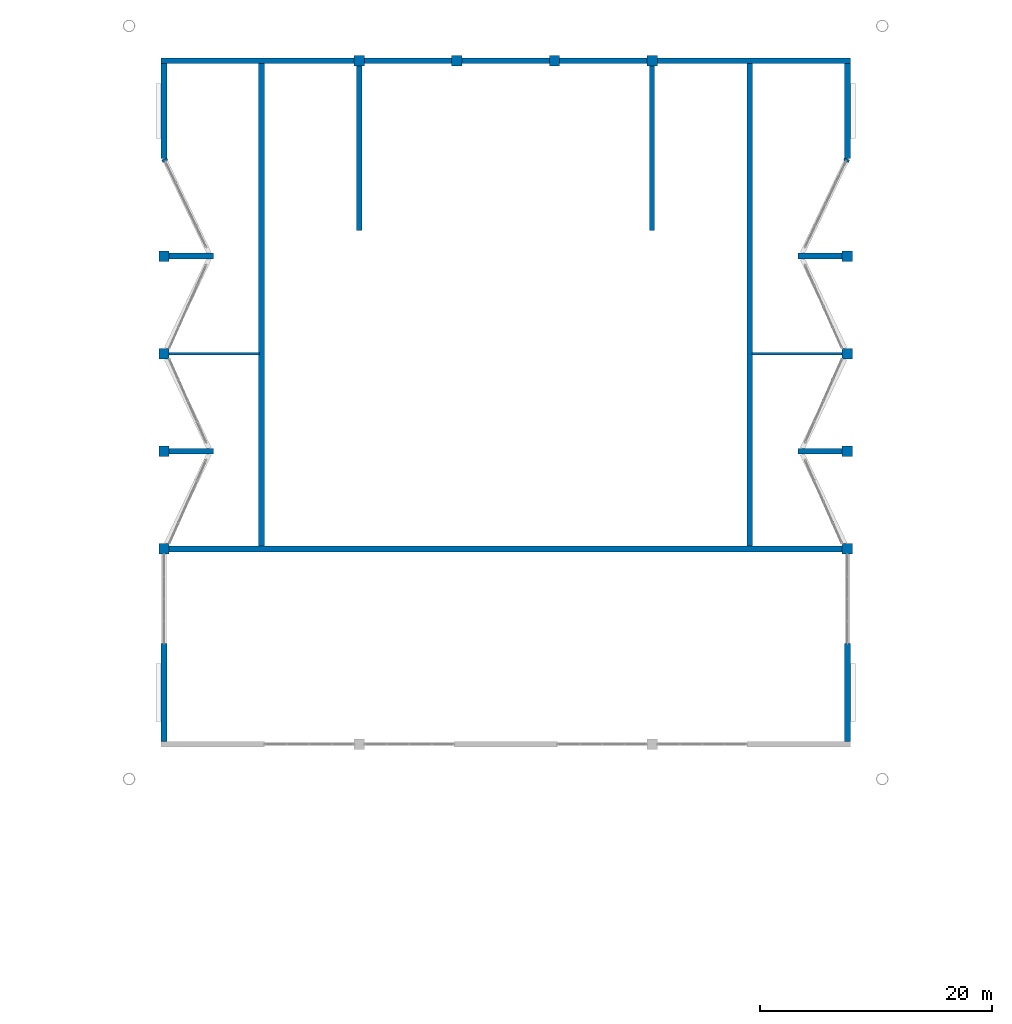
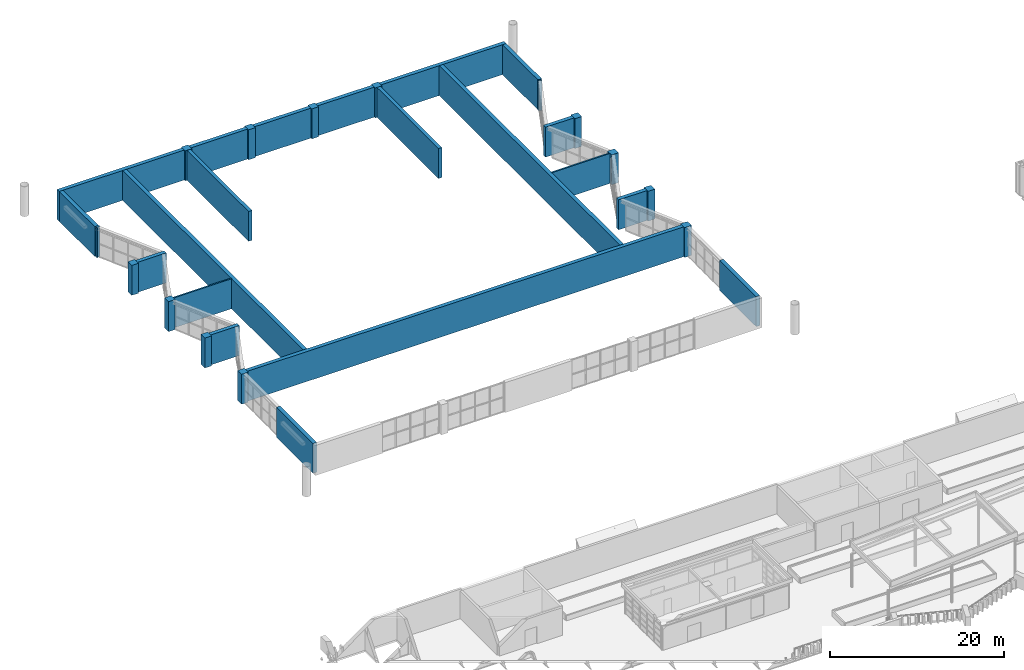
# One storey, part 36 of 51: 34 walls.
"""IFC4 building model written with IfcOpenShell, lengths in metres."""

from ifc_helpers import new_model, si_unit, direction, frame, frame_2d, origin, place, context, subcontext, project, spatial, rectangle, extrude, material, layer, layer_set, type_object, element, save


model = new_model("IFC4")

# Units and contexts
model_context = context("Model", 3, precision=1e-05, world=origin(), true_north=direction((0.0, 1.0)))
body_context = subcontext(model_context, "Body", "Model", "MODEL_VIEW")
ifc_project = project(units=[si_unit("LENGTHUNIT", "METRE"), si_unit("AREAUNIT", "SQUARE_METRE"), si_unit("VOLUMEUNIT", "CUBIC_METRE"), si_unit("PLANEANGLEUNIT", "RADIAN"), si_unit("MASSUNIT", "GRAM", prefix="KILO")], contexts=[model_context])

# Site, building, storey
site_placement = place(None, origin())
site = spatial("IfcSite", under=ifc_project, at=site_placement, CompositionType="ELEMENT")
building_placement = place(site_placement, origin())
building = spatial("IfcBuilding", under=site, at=building_placement, Name="Cresset Court Congress Hotel", CompositionType="ELEMENT")
storey_placement = place(building_placement, frame((0.0, 0.0, 18.60009765625)))
storey = spatial("IfcBuildingStorey", under=building, at=storey_placement, Name="L04", CompositionType="ELEMENT", Elevation=18.60009765625)

# Walls
ifc_material_1 = material(Name="Concrete C50", Category="concrete")
ifc_layer_1 = layer(ifc_material_1, 0.449951171875)
ifc_layer_set_1 = layer_set([ifc_layer_1], Name="Fly-tower wall 450")
wall_type_1 = type_object("IfcWallType", Name="Fly-tower wall 450", PredefinedType="SOLIDWALL", material=ifc_layer_set_1)
for number, where, z_axis, x_axis, name in (
    (1, (75.60009765625, 103.0, 0.0), (0.0, 0.0, 1.0), (0.0, 1.0, 0.0), "Wall CS-1L04"),
    (2, (100.800048828125, 103.0, 0.0), (0.0, 0.0, 1.0), (0.0, 1.0, 0.0), "Wall CS-2L04"),
):
    element("IfcWall", number, at=place(storey_placement, frame(where, z_axis=z_axis, x_axis=x_axis)), inside=storey, type_object=wall_type_1, Name=name, PredefinedType="SOLIDWALL", context=body_context, shape_type="SweptSolid", body=[
        extrude(rectangle(XDim=14.14990234375, YDim=0.449951171875, at=frame_2d((7.074951171875, 0.0))), origin(), (0.0, 0.0, 1.0), 4.199951171875),
    ])
ifc_material_2 = material(Name="Concrete C35", Category="concrete")
ifc_layer_2 = layer(ifc_material_2, 0.199951171875)
ifc_layer_set_2 = layer_set([ifc_layer_2], Name="Gallery cross wall 200")
wall_type_2 = type_object("IfcWallType", Name="Gallery cross wall 200", PredefinedType="PARTITIONING", material=ifc_layer_set_2)
for number, where, z_axis, x_axis, name in (
    (3, (59.25, 92.39990234375, 0.0), (0.0, 0.0, 1.0), (1.0, 0.0, 0.0), "Wall CP-galWL04"),
    (4, (109.39990234375, 92.39990234375, 0.0), (0.0, 0.0, 1.0), (1.0, 0.0, 0.0), "Wall CP-galEL04"),
):
    element("IfcWall", number, at=place(storey_placement, frame(where, z_axis=z_axis, x_axis=x_axis)), inside=storey, type_object=wall_type_2, Name=name, PredefinedType="PARTITIONING", context=body_context, shape_type="SweptSolid", body=[
        extrude(rectangle(XDim=7.75, YDim=0.199951171875, at=frame_2d((3.875, 0.0))), origin(), (0.0, 0.0, 1.0), 4.199951171875),
    ])
ifc_material_3 = material(Name="Concrete C50", Category="concrete")
ifc_layer_3 = layer(ifc_material_3, 0.5)
ifc_layer_set_3 = layer_set([ifc_layer_3], Name="Hall inner wall 500")
wall_type_3 = type_object("IfcWallType", Name="Hall inner wall 500", PredefinedType="SOLIDWALL", material=ifc_layer_set_3)
wall_1_placement = place(storey_placement, frame((59.25, 75.60009765625, 0.0), z_axis=(0.0, 0.0, 1.0), x_axis=(1.0, 0.0, 0.0)))
element("IfcWall", 5, at=wall_1_placement, inside=storey, type_object=wall_type_3, Name="Wall CI-RL04", PredefinedType="SOLIDWALL", context=body_context, shape_type="SweptSolid", body=[
    extrude(rectangle(XDim=57.89990234375, YDim=0.5, at=frame_2d((28.949951171875, 0.0))), origin(), (0.0, 0.0, 1.0), 4.199951171875),
])
for number, where, z_axis, x_axis, name in (
    (6, (67.199951171875, 75.85009765625, 0.0), (0.0, 0.0, 1.0), (0.0, 1.0, 0.0), "Wall CI-WL04"),
    (7, (109.199951171875, 117.35009765625, 0.0), (0.0, 0.0, 1.0), (0.0, -1.0, 0.0), "Wall CI-EL04"),
):
    element("IfcWall", number, at=place(storey_placement, frame(where, z_axis=z_axis, x_axis=x_axis)), inside=storey, type_object=wall_type_3, Name=name, PredefinedType="SOLIDWALL", context=body_context, shape_type="SweptSolid", body=[
        extrude(rectangle(XDim=41.5, YDim=0.5, at=frame_2d((20.75, 0.0))), origin(), (0.0, 0.0, 1.0), 4.199951171875),
    ])
ifc_material_4 = material(Name="Limestone-faced precast concrete C50", Category="masonry")
ifc_layer_4 = layer(ifc_material_4, 0.5)
ifc_layer_set_4 = layer_set([ifc_layer_4], Name="Hall perimeter wall 500")
wall_type_4 = type_object("IfcWallType", Name="Hall perimeter wall 500", PredefinedType="SOLIDWALL", material=ifc_layer_set_4)
wall_2_placement = place(storey_placement, frame((117.60009765625, 67.449951171875, 0.0), z_axis=(0.0, 0.0, 1.0), x_axis=(0.0, -1.0, 0.0)))
element("IfcWall", 8, at=wall_2_placement, inside=storey, type_object=wall_type_4, Name="Wall CW-EL04-1", PredefinedType="SOLIDWALL", context=body_context, shape_type="SweptSolid", body=[
    extrude(rectangle(XDim=8.39990234375, YDim=0.5, at=frame_2d((4.199951171875, 0.0))), origin(), (0.0, 0.0, 1.0), 4.199951171875),
])
wall_3_placement = place(storey_placement, frame((117.576171875, 109.14990234375, 0.0), z_axis=(0.0, 0.0, 1.0), x_axis=(-0.429933580392, -0.902860518824, 0.0)))
element("IfcWall", 9, at=wall_3_placement, inside=storey, type_object=wall_type_4, Name="Wall CW-EL04-5.1", PredefinedType="SOLIDWALL", context=body_context, shape_type="SweptSolid", body=[
    extrude(rectangle(XDim=0.221435546875, YDim=0.5, at=frame_2d((0.11083984375, 0.0))), origin(), (0.0, 0.0, 1.0), 4.199951171875),
])
wall_4_placement = place(storey_placement, frame((117.60009765625, 117.35009765625, 0.0), z_axis=(0.0, 0.0, 1.0), x_axis=(0.0, -1.0, 0.0)))
element("IfcWall", 10, at=wall_4_placement, inside=storey, type_object=wall_type_4, Name="Wall CW-EL04-5.2", PredefinedType="SOLIDWALL", context=body_context, shape_type="SweptSolid", body=[
    extrude(rectangle(XDim=8.150146484375, YDim=0.5, at=frame_2d((4.0751953125, 0.0))), origin(), (0.0, 0.0, 1.0), 4.199951171875),
])
for number, where, z_axis, x_axis, name in (
    (11, (113.35009765625, 84.0, 0.0), (0.0, 0.0, 1.0), (1.0, 0.0, 0.0), "Wall CW-EL04-R1"),
    (12, (113.35009765625, 100.800048828125, 0.0), (0.0, 0.0, 1.0), (1.0, 0.0, 0.0), "Wall CW-EL04-R2"),
):
    element("IfcWall", number, at=place(storey_placement, frame(where, z_axis=z_axis, x_axis=x_axis)), inside=storey, type_object=wall_type_4, Name=name, PredefinedType="SOLIDWALL", context=body_context, shape_type="SweptSolid", body=[
        extrude(rectangle(XDim=3.7998046875, YDim=0.5, at=frame_2d((1.89990234375, 0.0))), origin(), (0.0, 0.0, 1.0), 4.199951171875),
    ])
wall_5_placement = place(storey_placement, frame((101.25, 117.60009765625, 0.0), z_axis=(0.0, 0.0, 1.0), x_axis=(1.0, 0.0, 0.0)))
element("IfcWall", 13, at=wall_5_placement, inside=storey, type_object=wall_type_4, Name="Wall CW-NL04-1", PredefinedType="SOLIDWALL", context=body_context, shape_type="SweptSolid", body=[
    extrude(rectangle(XDim=16.60009765625, YDim=0.5, at=frame_2d((8.300048828125, 0.0))), origin(), (0.0, 0.0, 1.0), 4.199951171875),
])
for number, where, z_axis, x_axis, name in (
    (14, (92.85009765625, 117.60009765625, 0.0), (0.0, 0.0, 1.0), (1.0, 0.0, 0.0), "Wall CW-NL04-2"),
    (15, (84.449951171875, 117.60009765625, 0.0), (0.0, 0.0, 1.0), (1.0, 0.0, 0.0), "Wall CW-NL04-3"),
    (16, (76.050048828125, 117.60009765625, 0.0), (0.0, 0.0, 1.0), (1.0, 0.0, 0.0), "Wall CW-NL04-4"),
):
    element("IfcWall", number, at=place(storey_placement, frame(where, z_axis=z_axis, x_axis=x_axis)), inside=storey, type_object=wall_type_4, Name=name, PredefinedType="SOLIDWALL", context=body_context, shape_type="SweptSolid", body=[
        extrude(rectangle(XDim=7.5, YDim=0.5, at=frame_2d((3.75, 0.0))), origin(), (0.0, 0.0, 1.0), 4.199951171875),
    ])
wall_6_placement = place(storey_placement, frame((58.550048828125, 117.60009765625, 0.0), z_axis=(0.0, 0.0, 1.0), x_axis=(1.0, 0.0, 0.0)))
element("IfcWall", 17, at=wall_6_placement, inside=storey, type_object=wall_type_4, Name="Wall CW-NL04-5", PredefinedType="SOLIDWALL", context=body_context, shape_type="SweptSolid", body=[
    extrude(rectangle(XDim=16.599853515625, YDim=0.5, at=frame_2d((8.2998046875, 0.0))), origin(), (0.0, 0.0, 1.0), 4.199951171875),
])
wall_7_placement = place(storey_placement, frame((58.800048828125, 109.199951171875, 0.0), z_axis=(0.0, 0.0, 1.0), x_axis=(0.0, 1.0, 0.0)))
element("IfcWall", 18, at=wall_7_placement, inside=storey, type_object=wall_type_4, Name="Wall CW-WL04-1.1", PredefinedType="SOLIDWALL", context=body_context, shape_type="SweptSolid", body=[
    extrude(rectangle(XDim=8.150146484375, YDim=0.5, at=frame_2d((4.0751953125, 0.0))), origin(), (0.0, 0.0, 1.0), 4.199951171875),
])
wall_8_placement = place(storey_placement, frame((58.9189453125, 108.949951171875, 0.0), z_axis=(0.0, 0.0, 1.0), x_axis=(-0.429933580392, 0.902860518824, 0.0)))
element("IfcWall", 19, at=wall_8_placement, inside=storey, type_object=wall_type_4, Name="Wall CW-WL04-1.2", PredefinedType="SOLIDWALL", context=body_context, shape_type="SweptSolid", body=[
    extrude(rectangle(XDim=0.221435546875, YDim=0.5, at=frame_2d((0.11083984375, 0.0))), origin(), (0.0, 0.0, 1.0), 4.199951171875),
])
wall_9_placement = place(storey_placement, frame((58.800048828125, 59.050048828125, 0.0), z_axis=(0.0, 0.0, 1.0), x_axis=(0.0, 1.0, 0.0)))
element("IfcWall", 20, at=wall_9_placement, inside=storey, type_object=wall_type_4, Name="Wall CW-WL04-5", PredefinedType="SOLIDWALL", context=body_context, shape_type="SweptSolid", body=[
    extrude(rectangle(XDim=8.39990234375, YDim=0.5, at=frame_2d((4.199951171875, 0.0))), origin(), (0.0, 0.0, 1.0), 4.199951171875),
])
for number, where, z_axis, x_axis, name in (
    (21, (63.050048828125, 100.800048828125, 0.0), (0.0, 0.0, 1.0), (-1.0, 0.0, 0.0), "Wall CW-WL04-R1"),
    (22, (63.050048828125, 84.0, 0.0), (0.0, 0.0, 1.0), (-1.0, 0.0, 0.0), "Wall CW-WL04-R2"),
):
    element("IfcWall", number, at=place(storey_placement, frame(where, z_axis=z_axis, x_axis=x_axis)), inside=storey, type_object=wall_type_4, Name=name, PredefinedType="SOLIDWALL", context=body_context, shape_type="SweptSolid", body=[
        extrude(rectangle(XDim=3.800048828125, YDim=0.5, at=frame_2d((1.89990234375, 0.0))), origin(), (0.0, 0.0, 1.0), 4.199951171875),
    ])
ifc_material_5 = material(Name="Concrete C50", Category="concrete")
ifc_layer_5 = layer(ifc_material_5, 0.89990234375)
ifc_layer_set_5 = layer_set([ifc_layer_5], Name="Hall pilaster 900x900")
wall_type_5 = type_object("IfcWallType", Name="Hall pilaster 900x900", PredefinedType="SOLIDWALL", material=ifc_layer_set_5)
wall_10_placement = place(storey_placement, frame((117.60009765625, 75.14990234375, 0.0), z_axis=(0.0, 0.0, 1.0), x_axis=(0.0, 1.0, 0.0)))
element("IfcWall", 23, at=wall_10_placement, inside=storey, type_object=wall_type_5, Name="Pilaster P-E1", PredefinedType="SOLIDWALL", context=body_context, shape_type="SweptSolid", body=[
    extrude(rectangle(XDim=0.900146484375, YDim=0.89990234375, at=frame_2d((0.4501953125, 0.0))), origin(), (0.0, 0.0, 1.0), 4.199951171875),
])
wall_11_placement = place(storey_placement, frame((117.60009765625, 83.550048828125, 0.0), z_axis=(0.0, 0.0, 1.0), x_axis=(0.0, 1.0, 0.0)))
element("IfcWall", 24, at=wall_11_placement, inside=storey, type_object=wall_type_5, Name="Pilaster P-E2", PredefinedType="SOLIDWALL", context=body_context, shape_type="SweptSolid", body=[
    extrude(rectangle(XDim=0.89990234375, YDim=0.89990234375, at=frame_2d((0.449951171875, 0.0))), origin(), (0.0, 0.0, 1.0), 4.199951171875),
])
wall_12_placement = place(storey_placement, frame((117.60009765625, 91.949951171875, 0.0), z_axis=(0.0, 0.0, 1.0), x_axis=(0.0, 1.0, 0.0)))
element("IfcWall", 25, at=wall_12_placement, inside=storey, type_object=wall_type_5, Name="Pilaster P-E3", PredefinedType="SOLIDWALL", context=body_context, shape_type="SweptSolid", body=[
    extrude(rectangle(XDim=0.900146484375, YDim=0.89990234375, at=frame_2d((0.4501953125, 0.0))), origin(), (0.0, 0.0, 1.0), 4.199951171875),
])
for number, where, z_axis, x_axis, name in (
    (26, (117.60009765625, 100.35009765625, 0.0), (0.0, 0.0, 1.0), (0.0, 1.0, 0.0), "Pilaster P-E4"),
    (27, (101.25, 117.60009765625, 0.0), (0.0, 0.0, 1.0), (-1.0, 0.0, 0.0), "Pilaster P-N1"),
):
    element("IfcWall", number, at=place(storey_placement, frame(where, z_axis=z_axis, x_axis=x_axis)), inside=storey, type_object=wall_type_5, Name=name, PredefinedType="SOLIDWALL", context=body_context, shape_type="SweptSolid", body=[
        extrude(rectangle(XDim=0.89990234375, YDim=0.89990234375, at=frame_2d((0.449951171875, 0.0))), origin(), (0.0, 0.0, 1.0), 4.199951171875),
    ])
wall_13_placement = place(storey_placement, frame((92.85009765625, 117.60009765625, 0.0), z_axis=(0.0, 0.0, 1.0), x_axis=(-1.0, 0.0, 0.0)))
element("IfcWall", 28, at=wall_13_placement, inside=storey, type_object=wall_type_5, Name="Pilaster P-N2", PredefinedType="SOLIDWALL", context=body_context, shape_type="SweptSolid", body=[
    extrude(rectangle(XDim=0.900146484375, YDim=0.89990234375, at=frame_2d((0.4501953125, 0.0))), origin(), (0.0, 0.0, 1.0), 4.199951171875),
])
wall_14_placement = place(storey_placement, frame((84.449951171875, 117.60009765625, 0.0), z_axis=(0.0, 0.0, 1.0), x_axis=(-1.0, 0.0, 0.0)))
element("IfcWall", 29, at=wall_14_placement, inside=storey, type_object=wall_type_5, Name="Pilaster P-N3", PredefinedType="SOLIDWALL", context=body_context, shape_type="SweptSolid", body=[
    extrude(rectangle(XDim=0.89990234375, YDim=0.89990234375, at=frame_2d((0.449951171875, 0.0))), origin(), (0.0, 0.0, 1.0), 4.199951171875),
])
wall_15_placement = place(storey_placement, frame((76.050048828125, 117.60009765625, 0.0), z_axis=(0.0, 0.0, 1.0), x_axis=(-1.0, 0.0, 0.0)))
element("IfcWall", 30, at=wall_15_placement, inside=storey, type_object=wall_type_5, Name="Pilaster P-N4", PredefinedType="SOLIDWALL", context=body_context, shape_type="SweptSolid", body=[
    extrude(rectangle(XDim=0.900146484375, YDim=0.89990234375, at=frame_2d((0.4501953125, 0.0))), origin(), (0.0, 0.0, 1.0), 4.199951171875),
])
wall_16_placement = place(storey_placement, frame((58.800048828125, 101.25, 0.0), z_axis=(0.0, 0.0, 1.0), x_axis=(0.0, -1.0, 0.0)))
element("IfcWall", 31, at=wall_16_placement, inside=storey, type_object=wall_type_5, Name="Pilaster P-W1", PredefinedType="SOLIDWALL", context=body_context, shape_type="SweptSolid", body=[
    extrude(rectangle(XDim=0.89990234375, YDim=0.89990234375, at=frame_2d((0.449951171875, 0.0))), origin(), (0.0, 0.0, 1.0), 4.199951171875),
])
wall_17_placement = place(storey_placement, frame((58.800048828125, 92.85009765625, 0.0), z_axis=(0.0, 0.0, 1.0), x_axis=(0.0, -1.0, 0.0)))
element("IfcWall", 32, at=wall_17_placement, inside=storey, type_object=wall_type_5, Name="Pilaster P-W2", PredefinedType="SOLIDWALL", context=body_context, shape_type="SweptSolid", body=[
    extrude(rectangle(XDim=0.900146484375, YDim=0.89990234375, at=frame_2d((0.4501953125, 0.0))), origin(), (0.0, 0.0, 1.0), 4.199951171875),
])
wall_18_placement = place(storey_placement, frame((58.800048828125, 84.449951171875, 0.0), z_axis=(0.0, 0.0, 1.0), x_axis=(0.0, -1.0, 0.0)))
element("IfcWall", 33, at=wall_18_placement, inside=storey, type_object=wall_type_5, Name="Pilaster P-W3", PredefinedType="SOLIDWALL", context=body_context, shape_type="SweptSolid", body=[
    extrude(rectangle(XDim=0.89990234375, YDim=0.89990234375, at=frame_2d((0.449951171875, 0.0))), origin(), (0.0, 0.0, 1.0), 4.199951171875),
])
wall_19_placement = place(storey_placement, frame((58.800048828125, 76.050048828125, 0.0), z_axis=(0.0, 0.0, 1.0), x_axis=(0.0, -1.0, 0.0)))
element("IfcWall", 34, at=wall_19_placement, inside=storey, type_object=wall_type_5, Name="Pilaster P-W4", PredefinedType="SOLIDWALL", context=body_context, shape_type="SweptSolid", body=[
    extrude(rectangle(XDim=0.900146484375, YDim=0.89990234375, at=frame_2d((0.4501953125, 0.0))), origin(), (0.0, 0.0, 1.0), 4.199951171875),
])

save(model, "model.ifc")
